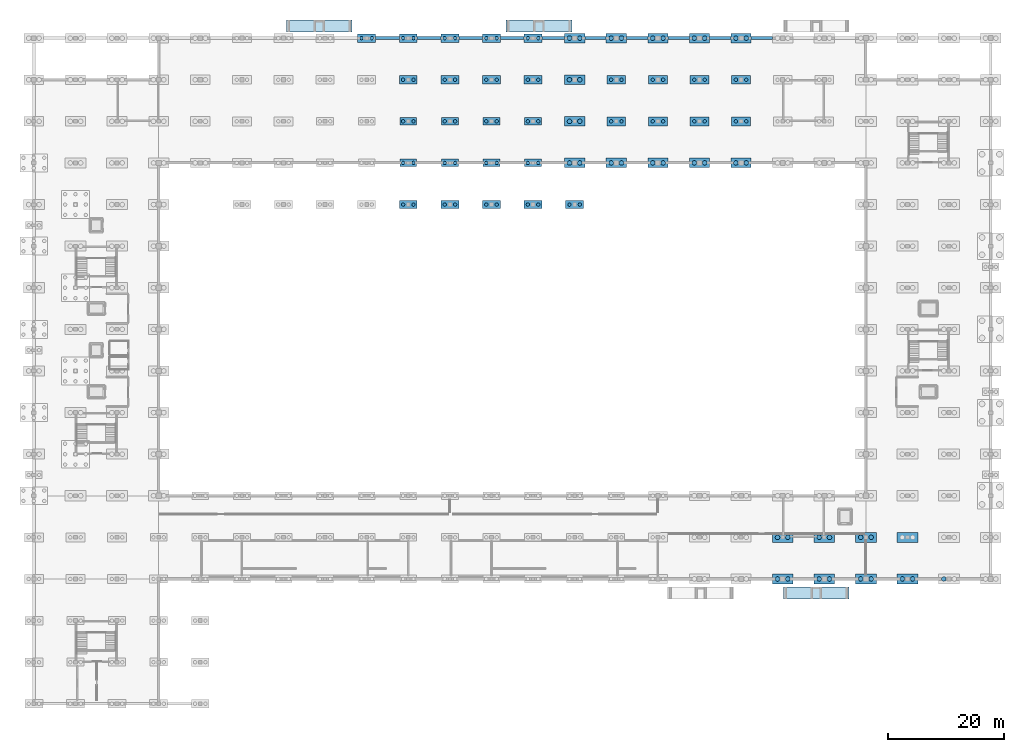
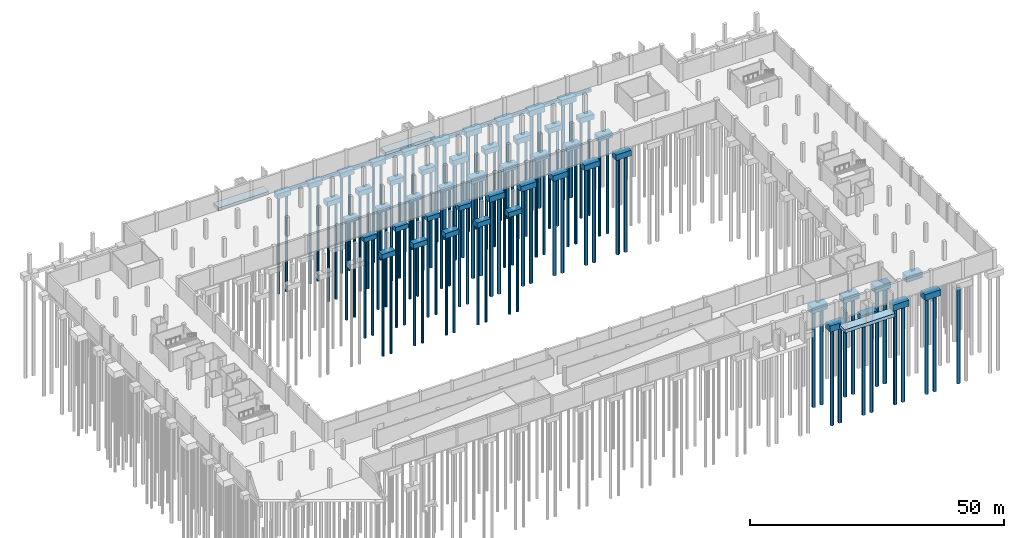
# One storey, part 4 of 18: 99 piles, 63 footings.
"""IFC4 building model written with IfcOpenShell, lengths in metres."""

from ifc_helpers import new_model, si_unit, direction, frame, origin, origin_2d, place, context, subcontext, project, spatial, rectangle, circle, extrude, material, material_profile, profile_set, type_object, element, save


model = new_model("IFC4")

# Units and contexts
model_context = context("Model", 3, precision=1e-05, world=origin(), true_north=direction((0.0, 1.0)))
body_context = subcontext(model_context, "Body", "Model", "MODEL_VIEW")
ifc_project = project(units=[si_unit("LENGTHUNIT", "METRE"), si_unit("AREAUNIT", "SQUARE_METRE"), si_unit("VOLUMEUNIT", "CUBIC_METRE"), si_unit("PLANEANGLEUNIT", "RADIAN"), si_unit("MASSUNIT", "GRAM", prefix="KILO")], contexts=[model_context])

# Site, building, storey
site_placement = place(None, origin())
site = spatial("IfcSite", under=ifc_project, at=site_placement, CompositionType="ELEMENT")
building_placement = place(site_placement, origin())
building = spatial("IfcBuilding", under=site, at=building_placement, Name="Kangsadwip Square Police Headquarters", CompositionType="ELEMENT")
storey_placement = place(building_placement, frame((0.0, 0.0, -4.5)))
storey = spatial("IfcBuildingStorey", under=building, at=storey_placement, Name="B1", CompositionType="ELEMENT", Elevation=-4.5)

# Footings
ifc_material_1 = material(Name="Concrete M35 (35 MPa)", Category="concrete")
footing_type_1 = type_object("IfcFootingType", Name="AccRampPadFooting800", PredefinedType="PAD_FOOTING", material=ifc_material_1)
for number, where, z_axis, x_axis, name in (
    (1, (49.39990234375, 117.300048828125, -1.25), (0.0, 0.0, 1.0), (1.0, 0.0, 0.0), "Accessible Ramp Pad Footing PF-AR-001"),
    (2, (87.39990234375, 117.300048828125, -1.25), (0.0, 0.0, 1.0), (1.0, 0.0, 0.0), "Accessible Ramp Pad Footing PF-AR-002"),
    (3, (135.39990234375, 19.199951171875, -1.25), (0.0, 0.0, 1.0), (1.0, 0.0, 0.0), "Accessible Ramp Pad Footing PF-AR-005"),
):
    element("IfcFooting", number, at=place(storey_placement, frame(where, z_axis=z_axis, x_axis=x_axis)), inside=storey, type_object=footing_type_1, Name=name, PredefinedType="PAD_FOOTING", context=body_context, shape_type="SweptSolid", body=[
        extrude(rectangle(XDim=11.39990234375, YDim=2.080078125, at=origin_2d()), origin(), (0.0, 0.0, 1.0), 0.800048828125),
    ])

# Piles
ifc_material_2 = material(Name="Concrete M30 (30 MPa)", Category="concrete")
ifc_material_profile_1 = material_profile(ifc_material_2, circle(Radius=0.300048828125, at=origin_2d()), Name="PILE DIA 600")
ifc_profile_set_1 = profile_set([ifc_material_profile_1], Name="Concrete M30 (30 MPa)")
pile_type_1 = type_object("IfcPileType", Name="BoredPileDia600", PredefinedType="BORED", material=ifc_profile_set_1)
for number, where, z_axis, x_axis, name in (
    (4, (56.699951171875, 115.199951171875, -1.550048828125), (0.0, 0.0, -1.0), (1.0, 0.0, 0.0), "Bored Pile PILE-B1-0567-1152"),
    (5, (58.5, 115.199951171875, -1.550048828125), (0.0, 0.0, -1.0), (1.0, 0.0, 0.0), "Bored Pile PILE-B1-0585-1152"),
):
    element("IfcPile", number, at=place(storey_placement, frame(where, z_axis=z_axis, x_axis=x_axis)), inside=storey, type_object=pile_type_1, Name=name, PredefinedType="BORED", context=body_context, shape_type="SweptSolid", body=[
        extrude(circle(Radius=0.300048828125, at=origin_2d()), origin(), (0.0, 0.0, 1.0), 23.449951171875),
    ])
for number, where, z_axis, x_axis, name in (
    (6, (63.89990234375, 86.39990234375, -1.10009765625), (0.0, 0.0, -1.0), (1.0, 0.0, 0.0), "Bored Pile PILE-B1-0639-0864"),
    (7, (65.699951171875, 86.39990234375, -1.10009765625), (0.0, 0.0, -1.0), (1.0, 0.0, 0.0), "Bored Pile PILE-B1-0657-0864"),
):
    element("IfcPile", number, at=place(storey_placement, frame(where, z_axis=z_axis, x_axis=x_axis)), inside=storey, type_object=pile_type_1, Name=name, PredefinedType="BORED", context=body_context, shape_type="SweptSolid", body=[
        extrude(circle(Radius=0.300048828125, at=origin_2d()), origin(), (0.0, 0.0, 1.0), 23.89990234375),
    ])
for number, where, z_axis, x_axis, name in (
    (8, (63.89990234375, 93.60009765625, -1.449951171875), (0.0, 0.0, -1.0), (1.0, 0.0, 0.0), "Bored Pile PILE-B1-0639-0936"),
    (9, (65.699951171875, 93.60009765625, -1.449951171875), (0.0, 0.0, -1.0), (1.0, 0.0, 0.0), "Bored Pile PILE-B1-0657-0936"),
    (10, (63.89990234375, 100.800048828125, -1.449951171875), (0.0, 0.0, -1.0), (1.0, 0.0, 0.0), "Bored Pile PILE-B1-0639-1008"),
    (11, (65.699951171875, 100.800048828125, -1.449951171875), (0.0, 0.0, -1.0), (1.0, 0.0, 0.0), "Bored Pile PILE-B1-0657-1008"),
):
    element("IfcPile", number, at=place(storey_placement, frame(where, z_axis=z_axis, x_axis=x_axis)), inside=storey, type_object=pile_type_1, Name=name, PredefinedType="BORED", context=body_context, shape_type="SweptSolid", body=[
        extrude(circle(Radius=0.300048828125, at=origin_2d()), origin(), (0.0, 0.0, 1.0), 23.550048828125),
    ])
for number, where, z_axis, x_axis, name in (
    (12, (63.89990234375, 108.0, -1.550048828125), (0.0, 0.0, -1.0), (1.0, 0.0, 0.0), "Bored Pile PILE-B1-0639-1080"),
    (13, (65.699951171875, 108.0, -1.550048828125), (0.0, 0.0, -1.0), (1.0, 0.0, 0.0), "Bored Pile PILE-B1-0657-1080"),
    (14, (63.89990234375, 115.199951171875, -1.550048828125), (0.0, 0.0, -1.0), (1.0, 0.0, 0.0), "Bored Pile PILE-B1-0639-1152"),
    (15, (65.699951171875, 115.199951171875, -1.550048828125), (0.0, 0.0, -1.0), (1.0, 0.0, 0.0), "Bored Pile PILE-B1-0657-1152"),
):
    element("IfcPile", number, at=place(storey_placement, frame(where, z_axis=z_axis, x_axis=x_axis)), inside=storey, type_object=pile_type_1, Name=name, PredefinedType="BORED", context=body_context, shape_type="SweptSolid", body=[
        extrude(circle(Radius=0.300048828125, at=origin_2d()), origin(), (0.0, 0.0, 1.0), 23.449951171875),
    ])
for number, where, z_axis, x_axis, name in (
    (16, (71.10009765625, 86.39990234375, -1.10009765625), (0.0, 0.0, -1.0), (1.0, 0.0, 0.0), "Bored Pile PILE-B1-0711-0864"),
    (17, (72.89990234375, 86.39990234375, -1.10009765625), (0.0, 0.0, -1.0), (1.0, 0.0, 0.0), "Bored Pile PILE-B1-0729-0864"),
):
    element("IfcPile", number, at=place(storey_placement, frame(where, z_axis=z_axis, x_axis=x_axis)), inside=storey, type_object=pile_type_1, Name=name, PredefinedType="BORED", context=body_context, shape_type="SweptSolid", body=[
        extrude(circle(Radius=0.300048828125, at=origin_2d()), origin(), (0.0, 0.0, 1.0), 23.89990234375),
    ])
for number, where, z_axis, x_axis, name in (
    (18, (71.10009765625, 93.60009765625, -1.449951171875), (0.0, 0.0, -1.0), (1.0, 0.0, 0.0), "Bored Pile PILE-B1-0711-0936"),
    (19, (72.89990234375, 93.60009765625, -1.449951171875), (0.0, 0.0, -1.0), (1.0, 0.0, 0.0), "Bored Pile PILE-B1-0729-0936"),
    (20, (71.10009765625, 100.800048828125, -1.449951171875), (0.0, 0.0, -1.0), (1.0, 0.0, 0.0), "Bored Pile PILE-B1-0711-1008"),
    (21, (72.89990234375, 100.800048828125, -1.449951171875), (0.0, 0.0, -1.0), (1.0, 0.0, 0.0), "Bored Pile PILE-B1-0729-1008"),
):
    element("IfcPile", number, at=place(storey_placement, frame(where, z_axis=z_axis, x_axis=x_axis)), inside=storey, type_object=pile_type_1, Name=name, PredefinedType="BORED", context=body_context, shape_type="SweptSolid", body=[
        extrude(circle(Radius=0.300048828125, at=origin_2d()), origin(), (0.0, 0.0, 1.0), 23.550048828125),
    ])
for number, where, z_axis, x_axis, name in (
    (22, (71.10009765625, 108.0, -1.550048828125), (0.0, 0.0, -1.0), (1.0, 0.0, 0.0), "Bored Pile PILE-B1-0711-1080"),
    (23, (72.89990234375, 108.0, -1.550048828125), (0.0, 0.0, -1.0), (1.0, 0.0, 0.0), "Bored Pile PILE-B1-0729-1080"),
    (24, (71.10009765625, 115.199951171875, -1.550048828125), (0.0, 0.0, -1.0), (1.0, 0.0, 0.0), "Bored Pile PILE-B1-0711-1152"),
    (25, (72.89990234375, 115.199951171875, -1.550048828125), (0.0, 0.0, -1.0), (1.0, 0.0, 0.0), "Bored Pile PILE-B1-0729-1152"),
):
    element("IfcPile", number, at=place(storey_placement, frame(where, z_axis=z_axis, x_axis=x_axis)), inside=storey, type_object=pile_type_1, Name=name, PredefinedType="BORED", context=body_context, shape_type="SweptSolid", body=[
        extrude(circle(Radius=0.300048828125, at=origin_2d()), origin(), (0.0, 0.0, 1.0), 23.449951171875),
    ])
for number, where, z_axis, x_axis, name in (
    (26, (78.300048828125, 86.39990234375, -1.10009765625), (0.0, 0.0, -1.0), (1.0, 0.0, 0.0), "Bored Pile PILE-B1-0783-0864"),
    (27, (80.10009765625, 86.39990234375, -1.10009765625), (0.0, 0.0, -1.0), (1.0, 0.0, 0.0), "Bored Pile PILE-B1-0801-0864"),
):
    element("IfcPile", number, at=place(storey_placement, frame(where, z_axis=z_axis, x_axis=x_axis)), inside=storey, type_object=pile_type_1, Name=name, PredefinedType="BORED", context=body_context, shape_type="SweptSolid", body=[
        extrude(circle(Radius=0.300048828125, at=origin_2d()), origin(), (0.0, 0.0, 1.0), 23.89990234375),
    ])
for number, where, z_axis, x_axis, name in (
    (28, (78.300048828125, 93.60009765625, -1.449951171875), (0.0, 0.0, -1.0), (1.0, 0.0, 0.0), "Bored Pile PILE-B1-0783-0936"),
    (29, (80.10009765625, 93.60009765625, -1.449951171875), (0.0, 0.0, -1.0), (1.0, 0.0, 0.0), "Bored Pile PILE-B1-0801-0936"),
    (30, (78.300048828125, 100.800048828125, -1.449951171875), (0.0, 0.0, -1.0), (1.0, 0.0, 0.0), "Bored Pile PILE-B1-0783-1008"),
    (31, (80.10009765625, 100.800048828125, -1.449951171875), (0.0, 0.0, -1.0), (1.0, 0.0, 0.0), "Bored Pile PILE-B1-0801-1008"),
):
    element("IfcPile", number, at=place(storey_placement, frame(where, z_axis=z_axis, x_axis=x_axis)), inside=storey, type_object=pile_type_1, Name=name, PredefinedType="BORED", context=body_context, shape_type="SweptSolid", body=[
        extrude(circle(Radius=0.300048828125, at=origin_2d()), origin(), (0.0, 0.0, 1.0), 23.550048828125),
    ])
for number, where, z_axis, x_axis, name in (
    (32, (78.300048828125, 108.0, -1.550048828125), (0.0, 0.0, -1.0), (1.0, 0.0, 0.0), "Bored Pile PILE-B1-0783-1080"),
    (33, (80.10009765625, 108.0, -1.550048828125), (0.0, 0.0, -1.0), (1.0, 0.0, 0.0), "Bored Pile PILE-B1-0801-1080"),
    (34, (78.300048828125, 115.199951171875, -1.550048828125), (0.0, 0.0, -1.0), (1.0, 0.0, 0.0), "Bored Pile PILE-B1-0783-1152"),
    (35, (80.10009765625, 115.199951171875, -1.550048828125), (0.0, 0.0, -1.0), (1.0, 0.0, 0.0), "Bored Pile PILE-B1-0801-1152"),
):
    element("IfcPile", number, at=place(storey_placement, frame(where, z_axis=z_axis, x_axis=x_axis)), inside=storey, type_object=pile_type_1, Name=name, PredefinedType="BORED", context=body_context, shape_type="SweptSolid", body=[
        extrude(circle(Radius=0.300048828125, at=origin_2d()), origin(), (0.0, 0.0, 1.0), 23.449951171875),
    ])
for number, where, z_axis, x_axis, name in (
    (36, (85.5, 86.39990234375, -1.10009765625), (0.0, 0.0, -1.0), (1.0, 0.0, 0.0), "Bored Pile PILE-B1-0855-0864"),
    (37, (87.300048828125, 86.39990234375, -1.10009765625), (0.0, 0.0, -1.0), (1.0, 0.0, 0.0), "Bored Pile PILE-B1-0873-0864"),
):
    element("IfcPile", number, at=place(storey_placement, frame(where, z_axis=z_axis, x_axis=x_axis)), inside=storey, type_object=pile_type_1, Name=name, PredefinedType="BORED", context=body_context, shape_type="SweptSolid", body=[
        extrude(circle(Radius=0.300048828125, at=origin_2d()), origin(), (0.0, 0.0, 1.0), 23.89990234375),
    ])
for number, where, z_axis, x_axis, name in (
    (38, (85.5, 93.60009765625, -1.449951171875), (0.0, 0.0, -1.0), (1.0, 0.0, 0.0), "Bored Pile PILE-B1-0855-0936"),
    (39, (87.300048828125, 93.60009765625, -1.449951171875), (0.0, 0.0, -1.0), (1.0, 0.0, 0.0), "Bored Pile PILE-B1-0873-0936"),
    (40, (85.5, 100.800048828125, -1.449951171875), (0.0, 0.0, -1.0), (1.0, 0.0, 0.0), "Bored Pile PILE-B1-0855-1008"),
    (41, (87.300048828125, 100.800048828125, -1.449951171875), (0.0, 0.0, -1.0), (1.0, 0.0, 0.0), "Bored Pile PILE-B1-0873-1008"),
):
    element("IfcPile", number, at=place(storey_placement, frame(where, z_axis=z_axis, x_axis=x_axis)), inside=storey, type_object=pile_type_1, Name=name, PredefinedType="BORED", context=body_context, shape_type="SweptSolid", body=[
        extrude(circle(Radius=0.300048828125, at=origin_2d()), origin(), (0.0, 0.0, 1.0), 23.550048828125),
    ])
for number, where, z_axis, x_axis, name in (
    (42, (85.5, 108.0, -1.550048828125), (0.0, 0.0, -1.0), (1.0, 0.0, 0.0), "Bored Pile PILE-B1-0855-1080"),
    (43, (87.300048828125, 108.0, -1.550048828125), (0.0, 0.0, -1.0), (1.0, 0.0, 0.0), "Bored Pile PILE-B1-0873-1080"),
    (44, (85.5, 115.199951171875, -1.550048828125), (0.0, 0.0, -1.0), (1.0, 0.0, 0.0), "Bored Pile PILE-B1-0855-1152"),
    (45, (87.300048828125, 115.199951171875, -1.550048828125), (0.0, 0.0, -1.0), (1.0, 0.0, 0.0), "Bored Pile PILE-B1-0873-1152"),
):
    element("IfcPile", number, at=place(storey_placement, frame(where, z_axis=z_axis, x_axis=x_axis)), inside=storey, type_object=pile_type_1, Name=name, PredefinedType="BORED", context=body_context, shape_type="SweptSolid", body=[
        extrude(circle(Radius=0.300048828125, at=origin_2d()), origin(), (0.0, 0.0, 1.0), 23.449951171875),
    ])
for number, where, z_axis, x_axis, name in (
    (46, (92.699951171875, 86.39990234375, -1.10009765625), (0.0, 0.0, -1.0), (1.0, 0.0, 0.0), "Bored Pile PILE-B1-0927-0864"),
    (47, (94.5, 86.39990234375, -1.10009765625), (0.0, 0.0, -1.0), (1.0, 0.0, 0.0), "Bored Pile PILE-B1-0945-0864"),
):
    element("IfcPile", number, at=place(storey_placement, frame(where, z_axis=z_axis, x_axis=x_axis)), inside=storey, type_object=pile_type_1, Name=name, PredefinedType="BORED", context=body_context, shape_type="SweptSolid", body=[
        extrude(circle(Radius=0.300048828125, at=origin_2d()), origin(), (0.0, 0.0, 1.0), 23.89990234375),
    ])
for number, where, z_axis, x_axis, name in (
    (48, (99.89990234375, 100.800048828125, -1.60009765625), (0.0, 0.0, -1.0), (1.0, 0.0, 0.0), "Bored Pile PILE-B1-0999-1008"),
    (49, (101.699951171875, 100.800048828125, -1.60009765625), (0.0, 0.0, -1.0), (1.0, 0.0, 0.0), "Bored Pile PILE-B1-1017-1008"),
    (50, (99.89990234375, 108.0, -1.60009765625), (0.0, 0.0, -1.0), (1.0, 0.0, 0.0), "Bored Pile PILE-B1-0999-1080"),
    (51, (101.699951171875, 108.0, -1.60009765625), (0.0, 0.0, -1.0), (1.0, 0.0, 0.0), "Bored Pile PILE-B1-1017-1080"),
    (52, (107.10009765625, 100.800048828125, -1.60009765625), (0.0, 0.0, -1.0), (1.0, 0.0, 0.0), "Bored Pile PILE-B1-1071-1008"),
    (53, (108.89990234375, 100.800048828125, -1.60009765625), (0.0, 0.0, -1.0), (1.0, 0.0, 0.0), "Bored Pile PILE-B1-1089-1008"),
    (54, (107.10009765625, 108.0, -1.60009765625), (0.0, 0.0, -1.0), (1.0, 0.0, 0.0), "Bored Pile PILE-B1-1071-1080"),
    (55, (108.89990234375, 108.0, -1.60009765625), (0.0, 0.0, -1.0), (1.0, 0.0, 0.0), "Bored Pile PILE-B1-1089-1080"),
    (56, (114.300048828125, 100.800048828125, -1.60009765625), (0.0, 0.0, -1.0), (1.0, 0.0, 0.0), "Bored Pile PILE-B1-1143-1008"),
    (57, (116.10009765625, 100.800048828125, -1.60009765625), (0.0, 0.0, -1.0), (1.0, 0.0, 0.0), "Bored Pile PILE-B1-1161-1008"),
    (58, (114.300048828125, 108.0, -1.60009765625), (0.0, 0.0, -1.0), (1.0, 0.0, 0.0), "Bored Pile PILE-B1-1143-1080"),
    (59, (116.10009765625, 108.0, -1.60009765625), (0.0, 0.0, -1.0), (1.0, 0.0, 0.0), "Bored Pile PILE-B1-1161-1080"),
    (60, (121.5, 100.800048828125, -1.60009765625), (0.0, 0.0, -1.0), (1.0, 0.0, 0.0), "Bored Pile PILE-B1-1215-1008"),
    (61, (123.300048828125, 100.800048828125, -1.60009765625), (0.0, 0.0, -1.0), (1.0, 0.0, 0.0), "Bored Pile PILE-B1-1233-1008"),
    (62, (121.5, 108.0, -1.60009765625), (0.0, 0.0, -1.0), (1.0, 0.0, 0.0), "Bored Pile PILE-B1-1215-1080"),
    (63, (123.300048828125, 108.0, -1.60009765625), (0.0, 0.0, -1.0), (1.0, 0.0, 0.0), "Bored Pile PILE-B1-1233-1080"),
):
    element("IfcPile", number, at=place(storey_placement, frame(where, z_axis=z_axis, x_axis=x_axis)), inside=storey, type_object=pile_type_1, Name=name, PredefinedType="BORED", context=body_context, shape_type="SweptSolid", body=[
        extrude(circle(Radius=0.300048828125, at=origin_2d()), origin(), (0.0, 0.0, 1.0), 23.39990234375),
    ])
ifc_material_3 = material(Name="Concrete M30 (30 MPa)", Category="concrete")
ifc_material_profile_2 = material_profile(ifc_material_3, circle(Radius=0.39990234375, at=origin_2d()), Name="PILE DIA 800")
ifc_profile_set_2 = profile_set([ifc_material_profile_2], Name="Concrete M30 (30 MPa)")
pile_type_2 = type_object("IfcPileType", Name="BoredPileDia800", PredefinedType="BORED", material=ifc_profile_set_2)
for number, where, z_axis, x_axis, name in (
    (64, (92.699951171875, 93.60009765625, -1.699951171875), (0.0, 0.0, -1.0), (1.0, 0.0, 0.0), "Bored Pile PILE-B1-0927-0936"),
    (65, (94.5, 93.60009765625, -1.699951171875), (0.0, 0.0, -1.0), (1.0, 0.0, 0.0), "Bored Pile PILE-B1-0945-0936"),
    (66, (92.699951171875, 100.800048828125, -1.699951171875), (0.0, 0.0, -1.0), (1.0, 0.0, 0.0), "Bored Pile PILE-B1-0927-1008"),
    (67, (94.5, 100.800048828125, -1.699951171875), (0.0, 0.0, -1.0), (1.0, 0.0, 0.0), "Bored Pile PILE-B1-0945-1008"),
    (68, (92.699951171875, 108.0, -1.699951171875), (0.0, 0.0, -1.0), (1.0, 0.0, 0.0), "Bored Pile PILE-B1-0927-1080"),
    (69, (94.5, 108.0, -1.699951171875), (0.0, 0.0, -1.0), (1.0, 0.0, 0.0), "Bored Pile PILE-B1-0945-1080"),
    (70, (92.699951171875, 115.199951171875, -1.699951171875), (0.0, 0.0, -1.0), (1.0, 0.0, 0.0), "Bored Pile PILE-B1-0927-1152"),
    (71, (94.5, 115.199951171875, -1.699951171875), (0.0, 0.0, -1.0), (1.0, 0.0, 0.0), "Bored Pile PILE-B1-0945-1152"),
    (72, (99.89990234375, 93.60009765625, -1.699951171875), (0.0, 0.0, -1.0), (1.0, 0.0, 0.0), "Bored Pile PILE-B1-0999-0936"),
    (73, (101.699951171875, 93.60009765625, -1.699951171875), (0.0, 0.0, -1.0), (1.0, 0.0, 0.0), "Bored Pile PILE-B1-1017-0936"),
    (74, (99.89990234375, 115.199951171875, -1.699951171875), (0.0, 0.0, -1.0), (1.0, 0.0, 0.0), "Bored Pile PILE-B1-0999-1152"),
    (75, (101.699951171875, 115.199951171875, -1.699951171875), (0.0, 0.0, -1.0), (1.0, 0.0, 0.0), "Bored Pile PILE-B1-1017-1152"),
    (76, (107.10009765625, 93.60009765625, -1.699951171875), (0.0, 0.0, -1.0), (1.0, 0.0, 0.0), "Bored Pile PILE-B1-1071-0936"),
    (77, (108.89990234375, 93.60009765625, -1.699951171875), (0.0, 0.0, -1.0), (1.0, 0.0, 0.0), "Bored Pile PILE-B1-1089-0936"),
    (78, (107.10009765625, 115.199951171875, -1.699951171875), (0.0, 0.0, -1.0), (1.0, 0.0, 0.0), "Bored Pile PILE-B1-1071-1152"),
    (79, (108.89990234375, 115.199951171875, -1.699951171875), (0.0, 0.0, -1.0), (1.0, 0.0, 0.0), "Bored Pile PILE-B1-1089-1152"),
    (80, (114.300048828125, 93.60009765625, -1.699951171875), (0.0, 0.0, -1.0), (1.0, 0.0, 0.0), "Bored Pile PILE-B1-1143-0936"),
    (81, (116.10009765625, 93.60009765625, -1.699951171875), (0.0, 0.0, -1.0), (1.0, 0.0, 0.0), "Bored Pile PILE-B1-1161-0936"),
    (82, (114.300048828125, 115.199951171875, -1.699951171875), (0.0, 0.0, -1.0), (1.0, 0.0, 0.0), "Bored Pile PILE-B1-1143-1152"),
    (83, (116.10009765625, 115.199951171875, -1.699951171875), (0.0, 0.0, -1.0), (1.0, 0.0, 0.0), "Bored Pile PILE-B1-1161-1152"),
    (84, (121.5, 93.60009765625, -1.699951171875), (0.0, 0.0, -1.0), (1.0, 0.0, 0.0), "Bored Pile PILE-B1-1215-0936"),
    (85, (123.300048828125, 93.60009765625, -1.699951171875), (0.0, 0.0, -1.0), (1.0, 0.0, 0.0), "Bored Pile PILE-B1-1233-0936"),
    (86, (121.5, 115.199951171875, -1.699951171875), (0.0, 0.0, -1.0), (1.0, 0.0, 0.0), "Bored Pile PILE-B1-1215-1152"),
    (87, (123.300048828125, 115.199951171875, -1.699951171875), (0.0, 0.0, -1.0), (1.0, 0.0, 0.0), "Bored Pile PILE-B1-1233-1152"),
):
    element("IfcPile", number, at=place(storey_placement, frame(where, z_axis=z_axis, x_axis=x_axis)), inside=storey, type_object=pile_type_2, Name=name, PredefinedType="BORED", context=body_context, shape_type="SweptSolid", body=[
        extrude(circle(Radius=0.39990234375, at=origin_2d()), origin(), (0.0, 0.0, 1.0), 23.300048828125),
    ])
for number, where, z_axis, x_axis, name in (
    (88, (128.699951171875, 21.60009765625, -1.800048828125), (0.0, 0.0, -1.0), (1.0, 0.0, 0.0), "Bored Pile PILE-B1-1287-0216"),
    (89, (130.5, 21.60009765625, -1.800048828125), (0.0, 0.0, -1.0), (1.0, 0.0, 0.0), "Bored Pile PILE-B1-1305-0216"),
    (90, (128.699951171875, 28.800048828125, -1.800048828125), (0.0, 0.0, -1.0), (1.0, 0.0, 0.0), "Bored Pile PILE-B1-1287-0288"),
    (91, (130.5, 28.800048828125, -1.800048828125), (0.0, 0.0, -1.0), (1.0, 0.0, 0.0), "Bored Pile PILE-B1-1305-0288"),
    (92, (135.89990234375, 21.60009765625, -1.800048828125), (0.0, 0.0, -1.0), (1.0, 0.0, 0.0), "Bored Pile PILE-B1-1359-0216"),
    (93, (137.699951171875, 21.60009765625, -1.800048828125), (0.0, 0.0, -1.0), (1.0, 0.0, 0.0), "Bored Pile PILE-B1-1377-0216"),
    (94, (135.89990234375, 28.800048828125, -1.800048828125), (0.0, 0.0, -1.0), (1.0, 0.0, 0.0), "Bored Pile PILE-B1-1359-0288"),
    (95, (137.699951171875, 28.800048828125, -1.800048828125), (0.0, 0.0, -1.0), (1.0, 0.0, 0.0), "Bored Pile PILE-B1-1377-0288"),
    (96, (143.10009765625, 21.60009765625, -1.800048828125), (0.0, 0.0, -1.0), (1.0, 0.0, 0.0), "Bored Pile PILE-B1-1431-0216"),
    (97, (144.89990234375, 21.60009765625, -1.800048828125), (0.0, 0.0, -1.0), (1.0, 0.0, 0.0), "Bored Pile PILE-B1-1449-0216"),
    (98, (143.10009765625, 28.800048828125, -1.800048828125), (0.0, 0.0, -1.0), (1.0, 0.0, 0.0), "Bored Pile PILE-B1-1431-0288"),
    (99, (144.89990234375, 28.800048828125, -1.800048828125), (0.0, 0.0, -1.0), (1.0, 0.0, 0.0), "Bored Pile PILE-B1-1449-0288"),
    (100, (150.300048828125, 21.60009765625, -1.800048828125), (0.0, 0.0, -1.0), (1.0, 0.0, 0.0), "Bored Pile PILE-B1-1503-0216"),
    (101, (152.10009765625, 21.60009765625, -1.800048828125), (0.0, 0.0, -1.0), (1.0, 0.0, 0.0), "Bored Pile PILE-B1-1521-0216"),
    (102, (157.5, 21.60009765625, -1.800048828125), (0.0, 0.0, -1.0), (1.0, 0.0, 0.0), "Bored Pile PILE-B1-1575-0216"),
):
    element("IfcPile", number, at=place(storey_placement, frame(where, z_axis=z_axis, x_axis=x_axis)), inside=storey, type_object=pile_type_2, Name=name, PredefinedType="BORED", context=body_context, shape_type="SweptSolid", body=[
        extrude(circle(Radius=0.39990234375, at=origin_2d()), origin(), (0.0, 0.0, 1.0), 23.199951171875),
    ])

# Footings
ifc_material_4 = material(Name="Concrete M35 (35 MPa)", Category="concrete")
footing_type_2 = type_object("IfcFootingType", Name="PileCap2P2900x1300x1100", PredefinedType="PILE_CAP", material=ifc_material_4)
for number, where, z_axis, x_axis, name in (
    (103, (64.800048828125, 93.60009765625, -1.550048828125), (0.0, 0.0, 1.0), (1.0, 0.0, 0.0), "Pile Cap PC-B1-115"),
    (104, (64.800048828125, 100.800048828125, -1.550048828125), (0.0, 0.0, 1.0), (1.0, 0.0, 0.0), "Pile Cap PC-B1-116"),
    (105, (72.0, 93.60009765625, -1.550048828125), (0.0, 0.0, 1.0), (1.0, 0.0, 0.0), "Pile Cap PC-B1-123"),
    (106, (72.0, 100.800048828125, -1.550048828125), (0.0, 0.0, 1.0), (1.0, 0.0, 0.0), "Pile Cap PC-B1-124"),
    (107, (79.199951171875, 93.60009765625, -1.550048828125), (0.0, 0.0, 1.0), (1.0, 0.0, 0.0), "Pile Cap PC-B1-131"),
    (108, (79.199951171875, 100.800048828125, -1.550048828125), (0.0, 0.0, 1.0), (1.0, 0.0, 0.0), "Pile Cap PC-B1-132"),
    (109, (86.39990234375, 93.60009765625, -1.550048828125), (0.0, 0.0, 1.0), (1.0, 0.0, 0.0), "Pile Cap PC-B1-139"),
    (110, (86.39990234375, 100.800048828125, -1.550048828125), (0.0, 0.0, 1.0), (1.0, 0.0, 0.0), "Pile Cap PC-B1-140"),
):
    element("IfcFooting", number, at=place(storey_placement, frame(where, z_axis=z_axis, x_axis=x_axis)), inside=storey, type_object=footing_type_2, Name=name, PredefinedType="PILE_CAP", context=body_context, shape_type="SweptSolid", body=[
        extrude(rectangle(XDim=2.89990234375, YDim=1.300048828125, at=origin_2d()), origin(), (0.0, 0.0, 1.0), 1.10009765625),
    ])
ifc_material_5 = material(Name="Concrete M35 (35 MPa)", Category="concrete")
footing_type_3 = type_object("IfcFootingType", Name="PileCap2P3100x1450x1200", PredefinedType="PILE_CAP", material=ifc_material_5)
for number, where, z_axis, x_axis, name in (
    (111, (57.60009765625, 115.199951171875, -1.64990234375), (0.0, 0.0, 1.0), (1.0, 0.0, 0.0), "Pile Cap PC-B1-110"),
    (112, (64.800048828125, 86.39990234375, -1.2001953125), (0.0, 0.0, 1.0), (1.0, 0.0, 0.0), "Pile Cap PC-B1-114"),
    (113, (64.800048828125, 108.0, -1.64990234375), (0.0, 0.0, 1.0), (1.0, 0.0, 0.0), "Pile Cap PC-B1-117"),
    (114, (64.800048828125, 115.199951171875, -1.64990234375), (0.0, 0.0, 1.0), (1.0, 0.0, 0.0), "Pile Cap PC-B1-118"),
    (115, (72.0, 86.39990234375, -1.2001953125), (0.0, 0.0, 1.0), (1.0, 0.0, 0.0), "Pile Cap PC-B1-122"),
    (116, (72.0, 108.0, -1.64990234375), (0.0, 0.0, 1.0), (1.0, 0.0, 0.0), "Pile Cap PC-B1-125"),
    (117, (72.0, 115.199951171875, -1.64990234375), (0.0, 0.0, 1.0), (1.0, 0.0, 0.0), "Pile Cap PC-B1-126"),
    (118, (79.199951171875, 86.39990234375, -1.2001953125), (0.0, 0.0, 1.0), (1.0, 0.0, 0.0), "Pile Cap PC-B1-130"),
    (119, (79.199951171875, 108.0, -1.64990234375), (0.0, 0.0, 1.0), (1.0, 0.0, 0.0), "Pile Cap PC-B1-133"),
    (120, (79.199951171875, 115.199951171875, -1.64990234375), (0.0, 0.0, 1.0), (1.0, 0.0, 0.0), "Pile Cap PC-B1-134"),
    (121, (86.39990234375, 86.39990234375, -1.2001953125), (0.0, 0.0, 1.0), (1.0, 0.0, 0.0), "Pile Cap PC-B1-138"),
    (122, (86.39990234375, 108.0, -1.64990234375), (0.0, 0.0, 1.0), (1.0, 0.0, 0.0), "Pile Cap PC-B1-141"),
    (123, (86.39990234375, 115.199951171875, -1.64990234375), (0.0, 0.0, 1.0), (1.0, 0.0, 0.0), "Pile Cap PC-B1-142"),
    (124, (93.60009765625, 86.39990234375, -1.2001953125), (0.0, 0.0, 1.0), (1.0, 0.0, 0.0), "Pile Cap PC-B1-146"),
):
    element("IfcFooting", number, at=place(storey_placement, frame(where, z_axis=z_axis, x_axis=x_axis)), inside=storey, type_object=footing_type_3, Name=name, PredefinedType="PILE_CAP", context=body_context, shape_type="SweptSolid", body=[
        extrude(rectangle(XDim=3.10009765625, YDim=1.449951171875, at=origin_2d()), origin(), (0.0, 0.0, 1.0), 1.199951171875),
    ])
ifc_material_6 = material(Name="Concrete M35 (35 MPa)", Category="concrete")
footing_type_4 = type_object("IfcFootingType", Name="PileCap2P3250x1550x1250", PredefinedType="PILE_CAP", material=ifc_material_6)
for number, where, z_axis, x_axis, name in (
    (125, (100.800048828125, 100.800048828125, -1.699951171875), (0.0, 0.0, 1.0), (1.0, 0.0, 0.0), "Pile Cap PC-B1-155"),
    (126, (100.800048828125, 108.0, -1.699951171875), (0.0, 0.0, 1.0), (1.0, 0.0, 0.0), "Pile Cap PC-B1-156"),
    (127, (108.0, 100.800048828125, -1.699951171875), (0.0, 0.0, 1.0), (1.0, 0.0, 0.0), "Pile Cap PC-B1-162"),
    (128, (108.0, 108.0, -1.699951171875), (0.0, 0.0, 1.0), (1.0, 0.0, 0.0), "Pile Cap PC-B1-163"),
    (129, (115.199951171875, 100.800048828125, -1.699951171875), (0.0, 0.0, 1.0), (1.0, 0.0, 0.0), "Pile Cap PC-B1-169"),
    (130, (115.199951171875, 108.0, -1.699951171875), (0.0, 0.0, 1.0), (1.0, 0.0, 0.0), "Pile Cap PC-B1-170"),
    (131, (122.39990234375, 100.800048828125, -1.699951171875), (0.0, 0.0, 1.0), (1.0, 0.0, 0.0), "Pile Cap PC-B1-176"),
    (132, (122.39990234375, 108.0, -1.699951171875), (0.0, 0.0, 1.0), (1.0, 0.0, 0.0), "Pile Cap PC-B1-177"),
):
    element("IfcFooting", number, at=place(storey_placement, frame(where, z_axis=z_axis, x_axis=x_axis)), inside=storey, type_object=footing_type_4, Name=name, PredefinedType="PILE_CAP", context=body_context, shape_type="SweptSolid", body=[
        extrude(rectangle(XDim=3.25, YDim=1.550048828125, at=origin_2d()), origin(), (0.0, 0.0, 1.0), 1.25),
    ])
ifc_material_7 = material(Name="Concrete M35 (35 MPa)", Category="concrete")
footing_type_5 = type_object("IfcFootingType", Name="PileCap2P3500x1650x1350", PredefinedType="PILE_CAP", material=ifc_material_7)
for number, where, z_axis, x_axis, name in (
    (133, (93.60009765625, 93.60009765625, -1.800048828125), (0.0, 0.0, 1.0), (1.0, 0.0, 0.0), "Pile Cap PC-B1-147"),
    (134, (93.60009765625, 100.800048828125, -1.800048828125), (0.0, 0.0, 1.0), (1.0, 0.0, 0.0), "Pile Cap PC-B1-148"),
    (135, (93.60009765625, 108.0, -1.800048828125), (0.0, 0.0, 1.0), (1.0, 0.0, 0.0), "Pile Cap PC-B1-149"),
    (136, (93.60009765625, 115.199951171875, -1.800048828125), (0.0, 0.0, 1.0), (1.0, 0.0, 0.0), "Pile Cap PC-B1-150"),
    (137, (100.800048828125, 93.60009765625, -1.800048828125), (0.0, 0.0, 1.0), (1.0, 0.0, 0.0), "Pile Cap PC-B1-154"),
    (138, (100.800048828125, 115.199951171875, -1.800048828125), (0.0, 0.0, 1.0), (1.0, 0.0, 0.0), "Pile Cap PC-B1-157"),
    (139, (108.0, 93.60009765625, -1.800048828125), (0.0, 0.0, 1.0), (1.0, 0.0, 0.0), "Pile Cap PC-B1-161"),
    (140, (108.0, 115.199951171875, -1.800048828125), (0.0, 0.0, 1.0), (1.0, 0.0, 0.0), "Pile Cap PC-B1-164"),
    (141, (115.199951171875, 93.60009765625, -1.800048828125), (0.0, 0.0, 1.0), (1.0, 0.0, 0.0), "Pile Cap PC-B1-168"),
    (142, (115.199951171875, 115.199951171875, -1.800048828125), (0.0, 0.0, 1.0), (1.0, 0.0, 0.0), "Pile Cap PC-B1-171"),
    (143, (122.39990234375, 93.60009765625, -1.800048828125), (0.0, 0.0, 1.0), (1.0, 0.0, 0.0), "Pile Cap PC-B1-175"),
    (144, (122.39990234375, 115.199951171875, -1.800048828125), (0.0, 0.0, 1.0), (1.0, 0.0, 0.0), "Pile Cap PC-B1-178"),
):
    element("IfcFooting", number, at=place(storey_placement, frame(where, z_axis=z_axis, x_axis=x_axis)), inside=storey, type_object=footing_type_5, Name=name, PredefinedType="PILE_CAP", context=body_context, shape_type="SweptSolid", body=[
        extrude(rectangle(XDim=3.5, YDim=1.64990234375, at=origin_2d()), origin(), (0.0, 0.0, 1.0), 1.35009765625),
    ])
ifc_material_8 = material(Name="Concrete M35 (35 MPa)", Category="concrete")
footing_type_6 = type_object("IfcFootingType", Name="PileCap2P3600x1750x1450", PredefinedType="PILE_CAP", material=ifc_material_8)
for number, where, z_axis, x_axis, name in (
    (145, (129.60009765625, 21.60009765625, -1.89990234375), (0.0, 0.0, 1.0), (1.0, 0.0, 0.0), "Pile Cap PC-B1-179"),
    (146, (129.60009765625, 28.800048828125, -1.89990234375), (0.0, 0.0, 1.0), (1.0, 0.0, 0.0), "Pile Cap PC-B1-180"),
    (147, (136.800048828125, 21.60009765625, -1.89990234375), (0.0, 0.0, 1.0), (1.0, 0.0, 0.0), "Pile Cap PC-B1-186"),
    (148, (136.800048828125, 28.800048828125, -1.89990234375), (0.0, 0.0, 1.0), (1.0, 0.0, 0.0), "Pile Cap PC-B1-187"),
    (149, (144.0, 21.60009765625, -1.89990234375), (0.0, 0.0, 1.0), (1.0, 0.0, 0.0), "Pile Cap PC-B1-193"),
    (150, (144.0, 28.800048828125, -1.89990234375), (0.0, 0.0, 1.0), (1.0, 0.0, 0.0), "Pile Cap PC-B1-194"),
    (151, (151.199951171875, 21.60009765625, -1.89990234375), (0.0, 0.0, 1.0), (1.0, 0.0, 0.0), "Pile Cap PC-B1-207"),
    (152, (151.199951171875, 28.800048828125, -1.89990234375), (0.0, 0.0, 1.0), (1.0, 0.0, 0.0), "Pile Cap PC-B1-208"),
):
    element("IfcFooting", number, at=place(storey_placement, frame(where, z_axis=z_axis, x_axis=x_axis)), inside=storey, type_object=footing_type_6, Name=name, PredefinedType="PILE_CAP", context=body_context, shape_type="SweptSolid", body=[
        extrude(rectangle(XDim=3.60009765625, YDim=1.75, at=origin_2d()), origin(), (0.0, 0.0, 1.0), 1.449951171875),
    ])
ifc_material_9 = material(Name="Concrete M35 (35 MPa)", Category="concrete")
footing_type_7 = type_object("IfcFootingType", Name="TieGroundBeam3700x500", PredefinedType="FOOTING_BEAM", material=ifc_material_9)
for number, where, z_axis, x_axis, name in (
    (153, (97.199951171875, 115.199951171875, -1.14990234375), (0.0, 0.0, 1.0), (1.0, 0.0, 0.0), "Foundation GB-B1-034"),
    (154, (104.39990234375, 115.199951171875, -1.14990234375), (0.0, 0.0, 1.0), (1.0, 0.0, 0.0), "Foundation GB-B1-035"),
    (155, (111.60009765625, 115.199951171875, -1.14990234375), (0.0, 0.0, 1.0), (1.0, 0.0, 0.0), "Foundation GB-B1-036"),
    (156, (118.800048828125, 115.199951171875, -1.14990234375), (0.0, 0.0, 1.0), (1.0, 0.0, 0.0), "Foundation GB-B1-037"),
    (157, (126.0, 115.199951171875, -1.14990234375), (0.0, 0.0, 1.0), (1.0, 0.0, 0.0), "Foundation GB-B1-038"),
):
    element("IfcFooting", number, at=place(storey_placement, frame(where, z_axis=z_axis, x_axis=x_axis)), inside=storey, type_object=footing_type_7, Name=name, PredefinedType="FOOTING_BEAM", context=body_context, shape_type="SweptSolid", body=[
        extrude(rectangle(XDim=3.699951171875, YDim=0.5, at=origin_2d()), origin(), (0.0, 0.0, 1.0), 0.699951171875),
    ])
ifc_material_10 = material(Name="Concrete M35 (35 MPa)", Category="concrete")
footing_type_8 = type_object("IfcFootingType", Name="TieGroundBeam3900x500", PredefinedType="FOOTING_BEAM", material=ifc_material_10)
footing_placement = place(storey_placement, frame((89.89990234375, 115.199951171875, -1.14990234375), z_axis=(0.0, 0.0, 1.0), x_axis=(1.0, 0.0, 0.0)))
element("IfcFooting", 158, at=footing_placement, inside=storey, type_object=footing_type_8, Name="Foundation GB-B1-033", PredefinedType="FOOTING_BEAM", context=body_context, shape_type="SweptSolid", body=[
    extrude(rectangle(XDim=3.89990234375, YDim=0.5, at=origin_2d()), origin(), (0.0, 0.0, 1.0), 0.699951171875),
])
ifc_material_11 = material(Name="Concrete M35 (35 MPa)", Category="concrete")
footing_type_9 = type_object("IfcFootingType", Name="TieGroundBeam4100x500", PredefinedType="FOOTING_BEAM", material=ifc_material_11)
for number, where, z_axis, x_axis, name in (
    (159, (61.199951171875, 115.199951171875, -1.14990234375), (0.0, 0.0, 1.0), (1.0, 0.0, 0.0), "Foundation GB-B1-029"),
    (160, (68.39990234375, 115.199951171875, -1.14990234375), (0.0, 0.0, 1.0), (1.0, 0.0, 0.0), "Foundation GB-B1-030"),
    (161, (75.60009765625, 115.199951171875, -1.14990234375), (0.0, 0.0, 1.0), (1.0, 0.0, 0.0), "Foundation GB-B1-031"),
    (162, (82.800048828125, 115.199951171875, -1.14990234375), (0.0, 0.0, 1.0), (1.0, 0.0, 0.0), "Foundation GB-B1-032"),
):
    element("IfcFooting", number, at=place(storey_placement, frame(where, z_axis=z_axis, x_axis=x_axis)), inside=storey, type_object=footing_type_9, Name=name, PredefinedType="FOOTING_BEAM", context=body_context, shape_type="SweptSolid", body=[
        extrude(rectangle(XDim=4.10009765625, YDim=0.5, at=origin_2d()), origin(), (0.0, 0.0, 1.0), 0.699951171875),
    ])

save(model, "model.ifc")
